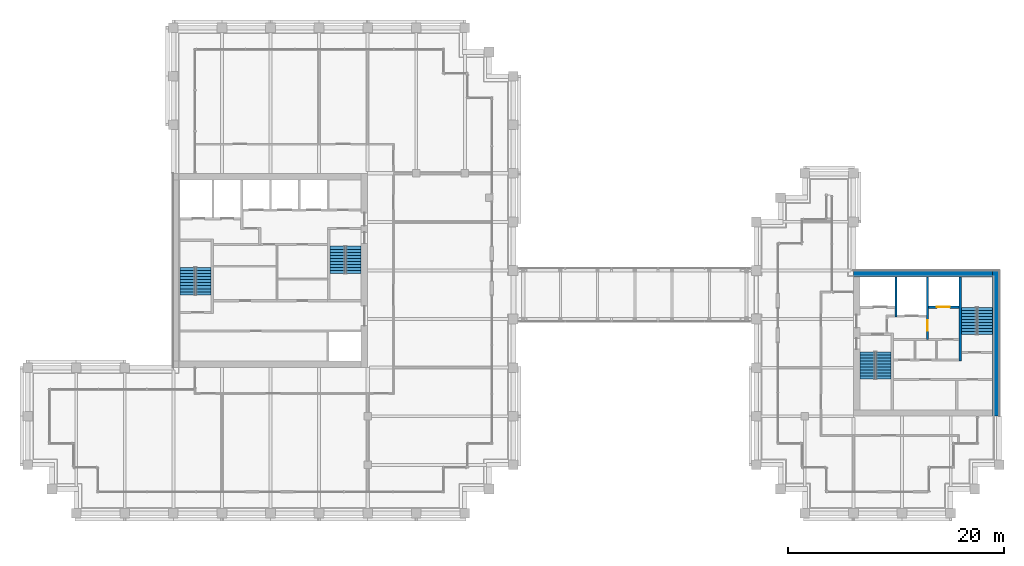
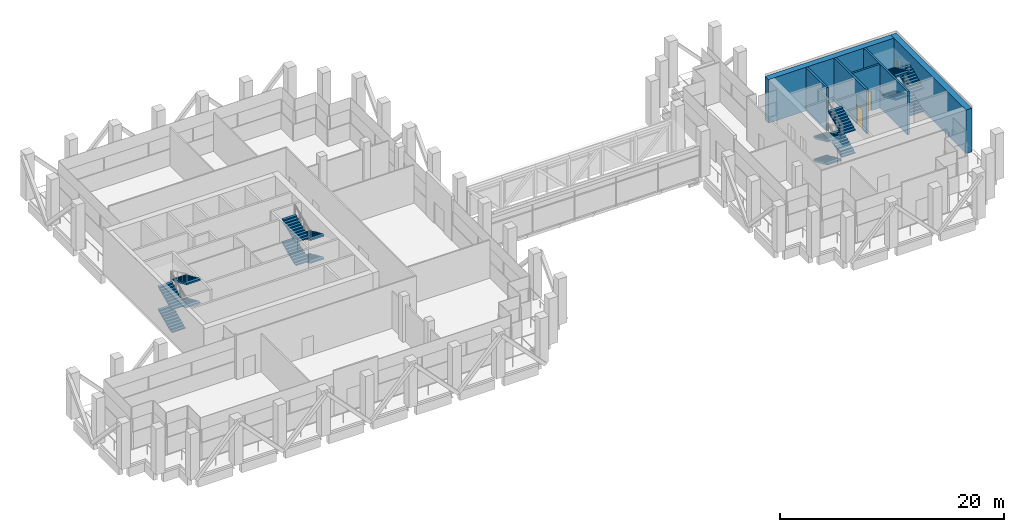
# One storey, part 31 of 34: 16 stair flights, 6 walls, 2 doors, 2 openings, 4 elements without a shape of their own.
"""IFC4 building model written with IfcOpenShell, lengths in metres."""

from ifc_helpers import new_model, si_unit, direction, frame, frame_2d, origin, place, context, subcontext, project, spatial, polyline, rectangle, outline, extrude, material, layer, layer_set, type_object, element, fill, aggregate, save


model = new_model("IFC4")

# Units and contexts
model_context = context("Model", 3, precision=1e-05, world=origin(), true_north=direction((0.0, 1.0)))
body_context = subcontext(model_context, "Body", "Model", "MODEL_VIEW")
ifc_project = project(units=[si_unit("LENGTHUNIT", "METRE"), si_unit("AREAUNIT", "SQUARE_METRE"), si_unit("VOLUMEUNIT", "CUBIC_METRE"), si_unit("PLANEANGLEUNIT", "RADIAN"), si_unit("MASSUNIT", "GRAM", prefix="KILO")], contexts=[model_context])

# Site, building, storey
site_placement = place(None, origin())
site = spatial("IfcSite", under=ifc_project, at=site_placement, CompositionType="ELEMENT")
building_placement = place(site_placement, origin())
building = spatial("IfcBuilding", under=site, at=building_placement, Name="Altepetl Exchange Towers", CompositionType="ELEMENT")
storey_placement = place(building_placement, frame((0.0, 0.0, 190.60009765625)))
storey = spatial("IfcBuildingStorey", under=building, at=storey_placement, Name="L48 Refuge", CompositionType="ELEMENT", Elevation=190.60009765625)

# Walls
ifc_material_1 = material(Name="Concrete C70/85", Category="concrete")
ifc_layer_1 = layer(ifc_material_1, 0.60009765625)
ifc_layer_set_1 = layer_set([ifc_layer_1], Name="Concrete C70/85")
wall_type_1 = type_object("IfcWallType", Name="Core wall 600 reinforced concrete external", PredefinedType="SHEAR", material=ifc_layer_set_1)
wall_1_placement = place(storey_placement, frame((116.699951171875, 36.0, 0.0), z_axis=(0.0, 0.0, 1.0), x_axis=(0.0, 1.0, 0.0)))
element("IfcWall", 1, at=wall_1_placement, inside=storey, type_object=wall_type_1, Name="wall:B:L48:K-coreE", PredefinedType="SHEAR", context=body_context, shape_type="SweptSolid", body=[
    extrude(rectangle(XDim=13.5, YDim=0.60009765625, at=frame_2d((6.75, 0.0))), origin(), (0.0, 0.0, 1.0), 4.75),
])
wall_2_placement = place(storey_placement, frame((103.5, 49.199951171875, 0.0)))
element("IfcWall", 2, at=wall_2_placement, inside=storey, type_object=wall_type_1, Name="wall:B:L48:K-coreN", PredefinedType="SHEAR", context=body_context, shape_type="SweptSolid", body=[
    extrude(rectangle(XDim=12.89990234375, YDim=0.60009765625, at=frame_2d((6.449951171875, 0.0))), origin(), (0.0, 0.0, 1.0), 4.75),
])
ifc_material_2 = material(Name="Concrete C40/50", Category="concrete")
ifc_layer_2 = layer(ifc_material_2, 0.199951171875)
ifc_layer_set_2 = layer_set([ifc_layer_2], Name="Concrete C40/50")
wall_type_2 = type_object("IfcWallType", Name="Shaft wall 200 reinforced concrete", PredefinedType="SHEAR", material=ifc_layer_set_2)
wall_3_placement = place(storey_placement, frame((107.433349609375, 48.89990234375, 0.0), z_axis=(0.0, 0.0, 1.0), x_axis=(0.0, -1.0, 0.0)))
element("IfcWall", 3, at=wall_3_placement, inside=storey, type_object=wall_type_2, Name="wall:B:L48:K-divN1", PredefinedType="SHEAR", context=body_context, shape_type="SweptSolid", body=[
    extrude(rectangle(XDim=3.699951171875, YDim=0.199951171875, at=frame_2d((1.85009765625, 0.0))), origin(), (0.0, 0.0, 1.0), 4.75),
])

# Wall, opening, door
wall_4_placement = place(storey_placement, frame((110.36669921875, 48.89990234375, 0.0), z_axis=(0.0, 0.0, 1.0), x_axis=(0.0, -1.0, 0.0)))
wall_4 = element("IfcWall", 4, at=wall_4_placement, inside=storey, type_object=wall_type_2, Name="wall:B:L48:K-divN2", PredefinedType="SHEAR", context=body_context, shape_type="SweptSolid", body=[
    extrude(rectangle(XDim=5.7998046875, YDim=0.199951171875, at=frame_2d((2.89990234375, 0.0))), origin(), (0.0, 0.0, 1.0), 4.75),
])
opening_1_placement = place(wall_4_placement, frame((4.0, 0.0, 0.0)))
opening_1 = element("IfcOpeningElement", 5, at=opening_1_placement, cuts=wall_4, Name="Opening L48.B64", PredefinedType="OPENING", context=body_context, shape_type="SweptSolid", body=[
    extrude(rectangle(XDim=1.0, YDim=2.10009765625, at=frame_2d((0.5, 1.050048828125))), frame((0.0, 0.10986328125, 0.0), z_axis=(0.0, -1.0, 0.0), x_axis=(1.0, 0.0, 0.0)), (0.0, 0.0, 1.0), 0.219970703125),
])
ifc_material_3 = material(Name="Steel and timber fire door", Category="steel")
door_type_1 = type_object("IfcDoorType", Name="Fire door 1000 x 2100 stair and lobby", OperationType="SINGLE_SWING_LEFT", PredefinedType="DOOR", material=ifc_material_3)
door_1_placement = place(opening_1_placement, frame((1.0, 0.0, 0.0), x_axis=(-1.0, 0.0, 0.0)))
door_1 = element("IfcDoor", 6, at=door_1_placement, inside=storey, type_object=door_type_1, Name="door:B:L48:K-dffE", OperationType="SINGLE_SWING_RIGHT", OverallHeight=2.10009765625, OverallWidth=1.0, PredefinedType="DOOR", context=body_context, shape_type="SweptSolid", body=[
    extrude(rectangle(XDim=1.0, YDim=2.10009765625, at=frame_2d((0.5, 1.050048828125))), frame((0.0, 0.02490234375, 0.0), z_axis=(0.0, -1.0, 0.0), x_axis=(1.0, 0.0, 0.0)), (0.0, 0.0, 1.0), 0.050048828125),
])
fill(opening_1, door_1)

wall_5_placement = place(storey_placement, frame((110.466796875, 46.10009765625, 0.0)))
wall_5 = element("IfcWall", 7, at=wall_5_placement, inside=storey, type_object=wall_type_2, Name="wall:B:L48:K-frontNb", PredefinedType="SHEAR", context=body_context, shape_type="SweptSolid", body=[
    extrude(rectangle(XDim=2.833251953125, YDim=0.199951171875, at=frame_2d((1.41650390625, 0.0))), origin(), (0.0, 0.0, 1.0), 4.75),
])
opening_2_placement = place(wall_5_placement, frame((0.7666015625, 0.0, 0.0)))
opening_2 = element("IfcOpeningElement", 8, at=opening_2_placement, cuts=wall_5, Name="Opening L48.B73", PredefinedType="OPENING", context=body_context, shape_type="SweptSolid", body=[
    extrude(rectangle(XDim=1.199951171875, YDim=2.10009765625, at=frame_2d((0.60009765625, 1.050048828125))), frame((0.0, 0.10986328125, 0.0), z_axis=(0.0, -1.0, 0.0), x_axis=(1.0, 0.0, 0.0)), (0.0, 0.0, 1.0), 0.219970703125),
])
ifc_material_4 = material(Name="Stainless steel", Category="steel")
door_type_2 = type_object("IfcDoorType", Name="Lift landing door 1200 x 2100", OperationType="SLIDING_TO_LEFT", PredefinedType="DOOR", material=ifc_material_4)
door_2_placement = place(opening_2_placement, origin())
door_2 = element("IfcDoor", 9, at=door_2_placement, inside=storey, type_object=door_type_2, Name="Landing door P5", OperationType="SLIDING_TO_LEFT", OverallHeight=2.10009765625, OverallWidth=1.199951171875, PredefinedType="DOOR", context=body_context, shape_type="SweptSolid", body=[
    extrude(rectangle(XDim=1.199951171875, YDim=2.10009765625, at=frame_2d((0.60009765625, 1.050048828125))), frame((0.0, 0.02490234375, 0.0), z_axis=(0.0, -1.0, 0.0), x_axis=(1.0, 0.0, 0.0)), (0.0, 0.0, 1.0), 0.050048828125),
])
fill(opening_2, door_2)

# Wall
ifc_layer_3 = layer(ifc_material_2, 0.199951171875)
ifc_layer_set_3 = layer_set([ifc_layer_3], Name="Concrete C40/50")
wall_type_3 = type_object("IfcWallType", Name="Stair wall 200 reinforced concrete", PredefinedType="SHEAR", material=ifc_layer_set_3)
wall_6_placement = place(storey_placement, frame((113.39990234375, 41.10009765625, 0.0), z_axis=(0.0, 0.0, 1.0), x_axis=(0.0, 1.0, 0.0)))
element("IfcWall", 10, at=wall_6_placement, inside=storey, type_object=wall_type_3, Name="wall:B:L48:K-stS2W", PredefinedType="SHEAR", context=body_context, shape_type="SweptSolid", body=[
    extrude(rectangle(XDim=7.7998046875, YDim=0.199951171875, at=frame_2d((3.89990234375, 0.0))), origin(), (0.0, 0.0, 1.0), 4.75),
])

# Stair, stair flights
stair_type = type_object("IfcStairType", Name="Exit stair 1400 flights dogleg", PredefinedType="HALF_TURN_STAIR", material=ifc_material_2)
stair_1_placement = place(storey_placement, origin())
stair_1 = element("IfcStair", 11, at=stair_1_placement, inside=storey, type_object=stair_type, Name="Exit stair 1", PredefinedType="HALF_TURN_STAIR")
stair_flight_type = type_object("IfcStairFlightType", Name="Stair flight 1400 wide", PredefinedType="STRAIGHT", material=ifc_material_2)
stair_flight_1_placement = place(storey_placement, frame((41.800048828125, 47.25, 0.0), z_axis=(0.0, 0.0, 1.0), x_axis=(0.0, 1.0, 0.0)))
stair_flight_1 = element("IfcStairFlight", 12, at=stair_flight_1_placement, type_object=stair_flight_type, Name="ST-A1e flight 1", NumberOfRisers=10, NumberOfTreads=9, PredefinedType="STRAIGHT", RiserHeight=0.125, TreadLength=0.28, context=body_context, shape_type="SweptSolid", body=[
    extrude(outline(polyline([(0.0, 0.0), (0.0, 0.125), (0.280029296875, 0.125), (0.280029296875, 0.25), (0.56005859375, 0.25), (0.56005859375, 0.375), (0.840087890625, 0.375), (0.840087890625, 0.5), (1.1201171875, 0.5), (1.1201171875, 0.625), (1.39990234375, 0.625), (1.39990234375, 0.75), (1.679931640625, 0.75), (1.679931640625, 0.875), (1.9599609375, 0.875), (1.9599609375, 1.0), (2.239990234375, 1.0), (2.239990234375, 1.125), (2.52001953125, 1.125), (2.52001953125, 1.25), (2.52001953125, 0.9609375), (0.36767578125, 0.0), (0.0, 0.0)])), frame((0.0, 0.699951171875, 0.0), z_axis=(0.0, -1.0, 0.0), x_axis=(1.0, 0.0, 0.0)), (0.0, 0.0, 1.0), 1.39990234375),
])
stair_flight_2_placement = place(storey_placement, frame((43.300048828125, 49.77001953125, 1.25), z_axis=(0.0, 0.0, 1.0), x_axis=(0.0, -1.0, 0.0)))
stair_flight_2 = element("IfcStairFlight", 13, at=stair_flight_2_placement, type_object=stair_flight_type, Name="ST-A1e flight 2", NumberOfRisers=10, NumberOfTreads=9, PredefinedType="STRAIGHT", RiserHeight=0.125, TreadLength=0.28, context=body_context, shape_type="SweptSolid", body=[
    extrude(outline(polyline([(0.0, 0.0), (0.0, 0.125), (0.280029296875, 0.125), (0.280029296875, 0.25), (0.56005859375, 0.25), (0.56005859375, 0.375), (0.840087890625, 0.375), (0.840087890625, 0.5), (1.1201171875, 0.5), (1.1201171875, 0.625), (1.39990234375, 0.625), (1.39990234375, 0.75), (1.679931640625, 0.75), (1.679931640625, 0.875), (1.9599609375, 0.875), (1.9599609375, 1.0), (2.239990234375, 1.0), (2.239990234375, 1.125), (2.52001953125, 1.125), (2.52001953125, 1.25), (2.52001953125, 0.9609375), (0.36767578125, 0.0), (0.0, 0.0)])), frame((0.0, 0.699951171875, 0.0), z_axis=(0.0, -1.0, 0.0), x_axis=(1.0, 0.0, 0.0)), (0.0, 0.0, 1.0), 1.39990234375),
])
stair_flight_3_placement = place(storey_placement, frame((41.800048828125, 47.25, 2.5), z_axis=(0.0, 0.0, 1.0), x_axis=(0.0, 1.0, 0.0)))
stair_flight_3 = element("IfcStairFlight", 14, at=stair_flight_3_placement, type_object=stair_flight_type, Name="ST-A1e flight 3", NumberOfRisers=10, NumberOfTreads=9, PredefinedType="STRAIGHT", RiserHeight=0.125, TreadLength=0.28, context=body_context, shape_type="SweptSolid", body=[
    extrude(outline(polyline([(0.0, 0.0), (0.0, 0.125), (0.280029296875, 0.125), (0.280029296875, 0.25), (0.56005859375, 0.25), (0.56005859375, 0.375), (0.840087890625, 0.375), (0.840087890625, 0.5), (1.1201171875, 0.5), (1.1201171875, 0.625), (1.39990234375, 0.625), (1.39990234375, 0.75), (1.679931640625, 0.75), (1.679931640625, 0.875), (1.9599609375, 0.875), (1.9599609375, 1.0), (2.239990234375, 1.0), (2.239990234375, 1.125), (2.52001953125, 1.125), (2.52001953125, 1.25), (2.52001953125, 0.9609375), (0.36767578125, 0.0), (0.0, 0.0)])), frame((0.0, 0.699951171875, 0.0), z_axis=(0.0, -1.0, 0.0), x_axis=(1.0, 0.0, 0.0)), (0.0, 0.0, 1.0), 1.39990234375),
])
stair_flight_4_placement = place(storey_placement, frame((43.300048828125, 49.77001953125, 3.75), z_axis=(0.0, 0.0, 1.0), x_axis=(0.0, -1.0, 0.0)))
stair_flight_4 = element("IfcStairFlight", 15, at=stair_flight_4_placement, type_object=stair_flight_type, Name="ST-A1e flight 4", NumberOfRisers=10, NumberOfTreads=9, PredefinedType="STRAIGHT", RiserHeight=0.125, TreadLength=0.28, context=body_context, shape_type="SweptSolid", body=[
    extrude(outline(polyline([(0.0, 0.0), (0.0, 0.125), (0.280029296875, 0.125), (0.280029296875, 0.25), (0.56005859375, 0.25), (0.56005859375, 0.375), (0.840087890625, 0.375), (0.840087890625, 0.5), (1.1201171875, 0.5), (1.1201171875, 0.625), (1.39990234375, 0.625), (1.39990234375, 0.75), (1.679931640625, 0.75), (1.679931640625, 0.875), (1.9599609375, 0.875), (1.9599609375, 1.0), (2.239990234375, 1.0), (2.239990234375, 1.125), (2.52001953125, 1.125), (2.52001953125, 1.25), (2.52001953125, 0.9609375), (0.36767578125, 0.0), (0.0, 0.0)])), frame((0.0, 0.699951171875, 0.0), z_axis=(0.0, -1.0, 0.0), x_axis=(1.0, 0.0, 0.0)), (0.0, 0.0, 1.0), 1.39990234375),
])
aggregate(stair_1, [stair_flight_1, stair_flight_2, stair_flight_3, stair_flight_4])

stair_2_placement = place(storey_placement, origin())
stair_2 = element("IfcStair", 16, at=stair_2_placement, inside=storey, type_object=stair_type, Name="Exit stair 2", PredefinedType="HALF_TURN_STAIR")
stair_flight_5_placement = place(storey_placement, frame((57.199951171875, 51.75, 0.0), z_axis=(0.0, 0.0, 1.0), x_axis=(0.0, -1.0, 0.0)))
stair_flight_5 = element("IfcStairFlight", 17, at=stair_flight_5_placement, type_object=stair_flight_type, Name="ST-A2e flight 1", NumberOfRisers=10, NumberOfTreads=9, PredefinedType="STRAIGHT", RiserHeight=0.125, TreadLength=0.28, context=body_context, shape_type="SweptSolid", body=[
    extrude(outline(polyline([(0.0, 0.0), (0.0, 0.125), (0.280029296875, 0.125), (0.280029296875, 0.25), (0.56005859375, 0.25), (0.56005859375, 0.375), (0.840087890625, 0.375), (0.840087890625, 0.5), (1.1201171875, 0.5), (1.1201171875, 0.625), (1.39990234375, 0.625), (1.39990234375, 0.75), (1.679931640625, 0.75), (1.679931640625, 0.875), (1.9599609375, 0.875), (1.9599609375, 1.0), (2.239990234375, 1.0), (2.239990234375, 1.125), (2.52001953125, 1.125), (2.52001953125, 1.25), (2.52001953125, 0.9609375), (0.36767578125, 0.0), (0.0, 0.0)])), frame((0.0, 0.699951171875, 0.0), z_axis=(0.0, -1.0, 0.0), x_axis=(1.0, 0.0, 0.0)), (0.0, 0.0, 1.0), 1.39990234375),
])
stair_flight_6_placement = place(storey_placement, frame((55.699951171875, 49.22998046875, 1.25), z_axis=(0.0, 0.0, 1.0), x_axis=(0.0, 1.0, 0.0)))
stair_flight_6 = element("IfcStairFlight", 18, at=stair_flight_6_placement, type_object=stair_flight_type, Name="ST-A2e flight 2", NumberOfRisers=10, NumberOfTreads=9, PredefinedType="STRAIGHT", RiserHeight=0.125, TreadLength=0.28, context=body_context, shape_type="SweptSolid", body=[
    extrude(outline(polyline([(0.0, 0.0), (0.0, 0.125), (0.280029296875, 0.125), (0.280029296875, 0.25), (0.56005859375, 0.25), (0.56005859375, 0.375), (0.840087890625, 0.375), (0.840087890625, 0.5), (1.1201171875, 0.5), (1.1201171875, 0.625), (1.39990234375, 0.625), (1.39990234375, 0.75), (1.679931640625, 0.75), (1.679931640625, 0.875), (1.9599609375, 0.875), (1.9599609375, 1.0), (2.239990234375, 1.0), (2.239990234375, 1.125), (2.52001953125, 1.125), (2.52001953125, 1.25), (2.52001953125, 0.9609375), (0.36767578125, 0.0), (0.0, 0.0)])), frame((0.0, 0.699951171875, 0.0), z_axis=(0.0, -1.0, 0.0), x_axis=(1.0, 0.0, 0.0)), (0.0, 0.0, 1.0), 1.39990234375),
])
stair_flight_7_placement = place(storey_placement, frame((57.199951171875, 51.75, 2.5), z_axis=(0.0, 0.0, 1.0), x_axis=(0.0, -1.0, 0.0)))
stair_flight_7 = element("IfcStairFlight", 19, at=stair_flight_7_placement, type_object=stair_flight_type, Name="ST-A2e flight 3", NumberOfRisers=10, NumberOfTreads=9, PredefinedType="STRAIGHT", RiserHeight=0.125, TreadLength=0.28, context=body_context, shape_type="SweptSolid", body=[
    extrude(outline(polyline([(0.0, 0.0), (0.0, 0.125), (0.280029296875, 0.125), (0.280029296875, 0.25), (0.56005859375, 0.25), (0.56005859375, 0.375), (0.840087890625, 0.375), (0.840087890625, 0.5), (1.1201171875, 0.5), (1.1201171875, 0.625), (1.39990234375, 0.625), (1.39990234375, 0.75), (1.679931640625, 0.75), (1.679931640625, 0.875), (1.9599609375, 0.875), (1.9599609375, 1.0), (2.239990234375, 1.0), (2.239990234375, 1.125), (2.52001953125, 1.125), (2.52001953125, 1.25), (2.52001953125, 0.9609375), (0.36767578125, 0.0), (0.0, 0.0)])), frame((0.0, 0.699951171875, 0.0), z_axis=(0.0, -1.0, 0.0), x_axis=(1.0, 0.0, 0.0)), (0.0, 0.0, 1.0), 1.39990234375),
])
stair_flight_8_placement = place(storey_placement, frame((55.699951171875, 49.22998046875, 3.75), z_axis=(0.0, 0.0, 1.0), x_axis=(0.0, 1.0, 0.0)))
stair_flight_8 = element("IfcStairFlight", 20, at=stair_flight_8_placement, type_object=stair_flight_type, Name="ST-A2e flight 4", NumberOfRisers=10, NumberOfTreads=9, PredefinedType="STRAIGHT", RiserHeight=0.125, TreadLength=0.28, context=body_context, shape_type="SweptSolid", body=[
    extrude(outline(polyline([(0.0, 0.0), (0.0, 0.125), (0.280029296875, 0.125), (0.280029296875, 0.25), (0.56005859375, 0.25), (0.56005859375, 0.375), (0.840087890625, 0.375), (0.840087890625, 0.5), (1.1201171875, 0.5), (1.1201171875, 0.625), (1.39990234375, 0.625), (1.39990234375, 0.75), (1.679931640625, 0.75), (1.679931640625, 0.875), (1.9599609375, 0.875), (1.9599609375, 1.0), (2.239990234375, 1.0), (2.239990234375, 1.125), (2.52001953125, 1.125), (2.52001953125, 1.25), (2.52001953125, 0.9609375), (0.36767578125, 0.0), (0.0, 0.0)])), frame((0.0, 0.699951171875, 0.0), z_axis=(0.0, -1.0, 0.0), x_axis=(1.0, 0.0, 0.0)), (0.0, 0.0, 1.0), 1.39990234375),
])
aggregate(stair_2, [stair_flight_5, stair_flight_6, stair_flight_7, stair_flight_8])

stair_3_placement = place(storey_placement, origin())
stair_3 = element("IfcStair", 21, at=stair_3_placement, inside=storey, type_object=stair_type, Name="Exit stair 1", PredefinedType="HALF_TURN_STAIR")
stair_flight_9_placement = place(storey_placement, frame((104.800048828125, 41.949951171875, 0.0), z_axis=(0.0, 0.0, 1.0), x_axis=(0.0, -1.0, 0.0)))
stair_flight_9 = element("IfcStairFlight", 22, at=stair_flight_9_placement, type_object=stair_flight_type, Name="ST-B1e flight 1", NumberOfRisers=10, NumberOfTreads=9, PredefinedType="STRAIGHT", RiserHeight=0.125, TreadLength=0.28, context=body_context, shape_type="SweptSolid", body=[
    extrude(outline(polyline([(0.0, 0.0), (0.0, 0.125), (0.280029296875, 0.125), (0.280029296875, 0.25), (0.56005859375, 0.25), (0.56005859375, 0.375), (0.840087890625, 0.375), (0.840087890625, 0.5), (1.1201171875, 0.5), (1.1201171875, 0.625), (1.39990234375, 0.625), (1.39990234375, 0.75), (1.679931640625, 0.75), (1.679931640625, 0.875), (1.9599609375, 0.875), (1.9599609375, 1.0), (2.239990234375, 1.0), (2.239990234375, 1.125), (2.52001953125, 1.125), (2.52001953125, 1.25), (2.52001953125, 0.9609375), (0.36767578125, 0.0), (0.0, 0.0)])), frame((0.0, 0.699951171875, 0.0), z_axis=(0.0, -1.0, 0.0), x_axis=(1.0, 0.0, 0.0)), (0.0, 0.0, 1.0), 1.39990234375),
])
stair_flight_10_placement = place(storey_placement, frame((106.300048828125, 39.429931640625, 1.25), z_axis=(0.0, 0.0, 1.0), x_axis=(0.0, 1.0, 0.0)))
stair_flight_10 = element("IfcStairFlight", 23, at=stair_flight_10_placement, type_object=stair_flight_type, Name="ST-B1e flight 2", NumberOfRisers=10, NumberOfTreads=9, PredefinedType="STRAIGHT", RiserHeight=0.125, TreadLength=0.28, context=body_context, shape_type="SweptSolid", body=[
    extrude(outline(polyline([(0.0, 0.0), (0.0, 0.125), (0.280029296875, 0.125), (0.280029296875, 0.25), (0.56005859375, 0.25), (0.56005859375, 0.375), (0.840087890625, 0.375), (0.840087890625, 0.5), (1.1201171875, 0.5), (1.1201171875, 0.625), (1.39990234375, 0.625), (1.39990234375, 0.75), (1.679931640625, 0.75), (1.679931640625, 0.875), (1.9599609375, 0.875), (1.9599609375, 1.0), (2.239990234375, 1.0), (2.239990234375, 1.125), (2.52001953125, 1.125), (2.52001953125, 1.25), (2.52001953125, 0.9609375), (0.36767578125, 0.0), (0.0, 0.0)])), frame((0.0, 0.699951171875, 0.0), z_axis=(0.0, -1.0, 0.0), x_axis=(1.0, 0.0, 0.0)), (0.0, 0.0, 1.0), 1.39990234375),
])
stair_flight_11_placement = place(storey_placement, frame((104.800048828125, 41.949951171875, 2.5), z_axis=(0.0, 0.0, 1.0), x_axis=(0.0, -1.0, 0.0)))
stair_flight_11 = element("IfcStairFlight", 24, at=stair_flight_11_placement, type_object=stair_flight_type, Name="ST-B1e flight 3", NumberOfRisers=10, NumberOfTreads=9, PredefinedType="STRAIGHT", RiserHeight=0.125, TreadLength=0.28, context=body_context, shape_type="SweptSolid", body=[
    extrude(outline(polyline([(0.0, 0.0), (0.0, 0.125), (0.280029296875, 0.125), (0.280029296875, 0.25), (0.56005859375, 0.25), (0.56005859375, 0.375), (0.840087890625, 0.375), (0.840087890625, 0.5), (1.1201171875, 0.5), (1.1201171875, 0.625), (1.39990234375, 0.625), (1.39990234375, 0.75), (1.679931640625, 0.75), (1.679931640625, 0.875), (1.9599609375, 0.875), (1.9599609375, 1.0), (2.239990234375, 1.0), (2.239990234375, 1.125), (2.52001953125, 1.125), (2.52001953125, 1.25), (2.52001953125, 0.9609375), (0.36767578125, 0.0), (0.0, 0.0)])), frame((0.0, 0.699951171875, 0.0), z_axis=(0.0, -1.0, 0.0), x_axis=(1.0, 0.0, 0.0)), (0.0, 0.0, 1.0), 1.39990234375),
])
stair_flight_12_placement = place(storey_placement, frame((106.300048828125, 39.429931640625, 3.75), z_axis=(0.0, 0.0, 1.0), x_axis=(0.0, 1.0, 0.0)))
stair_flight_12 = element("IfcStairFlight", 25, at=stair_flight_12_placement, type_object=stair_flight_type, Name="ST-B1e flight 4", NumberOfRisers=10, NumberOfTreads=9, PredefinedType="STRAIGHT", RiserHeight=0.125, TreadLength=0.28, context=body_context, shape_type="SweptSolid", body=[
    extrude(outline(polyline([(0.0, 0.0), (0.0, 0.125), (0.280029296875, 0.125), (0.280029296875, 0.25), (0.56005859375, 0.25), (0.56005859375, 0.375), (0.840087890625, 0.375), (0.840087890625, 0.5), (1.1201171875, 0.5), (1.1201171875, 0.625), (1.39990234375, 0.625), (1.39990234375, 0.75), (1.679931640625, 0.75), (1.679931640625, 0.875), (1.9599609375, 0.875), (1.9599609375, 1.0), (2.239990234375, 1.0), (2.239990234375, 1.125), (2.52001953125, 1.125), (2.52001953125, 1.25), (2.52001953125, 0.9609375), (0.36767578125, 0.0), (0.0, 0.0)])), frame((0.0, 0.699951171875, 0.0), z_axis=(0.0, -1.0, 0.0), x_axis=(1.0, 0.0, 0.0)), (0.0, 0.0, 1.0), 1.39990234375),
])
aggregate(stair_3, [stair_flight_9, stair_flight_10, stair_flight_11, stair_flight_12])

stair_4_placement = place(storey_placement, origin())
stair_4 = element("IfcStair", 26, at=stair_4_placement, inside=storey, type_object=stair_type, Name="Exit stair 2", PredefinedType="HALF_TURN_STAIR")
stair_flight_13_placement = place(storey_placement, frame((115.699951171875, 43.550048828125, 0.0), z_axis=(0.0, 0.0, 1.0), x_axis=(0.0, 1.0, 0.0)))
stair_flight_13 = element("IfcStairFlight", 27, at=stair_flight_13_placement, type_object=stair_flight_type, Name="ST-B2e flight 1", NumberOfRisers=10, NumberOfTreads=9, PredefinedType="STRAIGHT", RiserHeight=0.125, TreadLength=0.28, context=body_context, shape_type="SweptSolid", body=[
    extrude(outline(polyline([(0.0, 0.0), (0.0, 0.125), (0.280029296875, 0.125), (0.280029296875, 0.25), (0.56005859375, 0.25), (0.56005859375, 0.375), (0.840087890625, 0.375), (0.840087890625, 0.5), (1.1201171875, 0.5), (1.1201171875, 0.625), (1.39990234375, 0.625), (1.39990234375, 0.75), (1.679931640625, 0.75), (1.679931640625, 0.875), (1.9599609375, 0.875), (1.9599609375, 1.0), (2.239990234375, 1.0), (2.239990234375, 1.125), (2.52001953125, 1.125), (2.52001953125, 1.25), (2.52001953125, 0.9609375), (0.36767578125, 0.0), (0.0, 0.0)])), frame((0.0, 0.699951171875, 0.0), z_axis=(0.0, -1.0, 0.0), x_axis=(1.0, 0.0, 0.0)), (0.0, 0.0, 1.0), 1.39990234375),
])
stair_flight_14_placement = place(storey_placement, frame((114.199951171875, 46.070068359375, 1.25), z_axis=(0.0, 0.0, 1.0), x_axis=(0.0, -1.0, 0.0)))
stair_flight_14 = element("IfcStairFlight", 28, at=stair_flight_14_placement, type_object=stair_flight_type, Name="ST-B2e flight 2", NumberOfRisers=10, NumberOfTreads=9, PredefinedType="STRAIGHT", RiserHeight=0.125, TreadLength=0.28, context=body_context, shape_type="SweptSolid", body=[
    extrude(outline(polyline([(0.0, 0.0), (0.0, 0.125), (0.280029296875, 0.125), (0.280029296875, 0.25), (0.56005859375, 0.25), (0.56005859375, 0.375), (0.840087890625, 0.375), (0.840087890625, 0.5), (1.1201171875, 0.5), (1.1201171875, 0.625), (1.39990234375, 0.625), (1.39990234375, 0.75), (1.679931640625, 0.75), (1.679931640625, 0.875), (1.9599609375, 0.875), (1.9599609375, 1.0), (2.239990234375, 1.0), (2.239990234375, 1.125), (2.52001953125, 1.125), (2.52001953125, 1.25), (2.52001953125, 0.9609375), (0.36767578125, 0.0), (0.0, 0.0)])), frame((0.0, 0.699951171875, 0.0), z_axis=(0.0, -1.0, 0.0), x_axis=(1.0, 0.0, 0.0)), (0.0, 0.0, 1.0), 1.39990234375),
])
stair_flight_15_placement = place(storey_placement, frame((115.699951171875, 43.550048828125, 2.5), z_axis=(0.0, 0.0, 1.0), x_axis=(0.0, 1.0, 0.0)))
stair_flight_15 = element("IfcStairFlight", 29, at=stair_flight_15_placement, type_object=stair_flight_type, Name="ST-B2e flight 3", NumberOfRisers=10, NumberOfTreads=9, PredefinedType="STRAIGHT", RiserHeight=0.125, TreadLength=0.28, context=body_context, shape_type="SweptSolid", body=[
    extrude(outline(polyline([(0.0, 0.0), (0.0, 0.125), (0.280029296875, 0.125), (0.280029296875, 0.25), (0.56005859375, 0.25), (0.56005859375, 0.375), (0.840087890625, 0.375), (0.840087890625, 0.5), (1.1201171875, 0.5), (1.1201171875, 0.625), (1.39990234375, 0.625), (1.39990234375, 0.75), (1.679931640625, 0.75), (1.679931640625, 0.875), (1.9599609375, 0.875), (1.9599609375, 1.0), (2.239990234375, 1.0), (2.239990234375, 1.125), (2.52001953125, 1.125), (2.52001953125, 1.25), (2.52001953125, 0.9609375), (0.36767578125, 0.0), (0.0, 0.0)])), frame((0.0, 0.699951171875, 0.0), z_axis=(0.0, -1.0, 0.0), x_axis=(1.0, 0.0, 0.0)), (0.0, 0.0, 1.0), 1.39990234375),
])
stair_flight_16_placement = place(storey_placement, frame((114.199951171875, 46.070068359375, 3.75), z_axis=(0.0, 0.0, 1.0), x_axis=(0.0, -1.0, 0.0)))
stair_flight_16 = element("IfcStairFlight", 30, at=stair_flight_16_placement, type_object=stair_flight_type, Name="ST-B2e flight 4", NumberOfRisers=10, NumberOfTreads=9, PredefinedType="STRAIGHT", RiserHeight=0.125, TreadLength=0.28, context=body_context, shape_type="SweptSolid", body=[
    extrude(outline(polyline([(0.0, 0.0), (0.0, 0.125), (0.280029296875, 0.125), (0.280029296875, 0.25), (0.56005859375, 0.25), (0.56005859375, 0.375), (0.840087890625, 0.375), (0.840087890625, 0.5), (1.1201171875, 0.5), (1.1201171875, 0.625), (1.39990234375, 0.625), (1.39990234375, 0.75), (1.679931640625, 0.75), (1.679931640625, 0.875), (1.9599609375, 0.875), (1.9599609375, 1.0), (2.239990234375, 1.0), (2.239990234375, 1.125), (2.52001953125, 1.125), (2.52001953125, 1.25), (2.52001953125, 0.9609375), (0.36767578125, 0.0), (0.0, 0.0)])), frame((0.0, 0.699951171875, 0.0), z_axis=(0.0, -1.0, 0.0), x_axis=(1.0, 0.0, 0.0)), (0.0, 0.0, 1.0), 1.39990234375),
])
aggregate(stair_4, [stair_flight_13, stair_flight_14, stair_flight_15, stair_flight_16])

save(model, "model.ifc")
